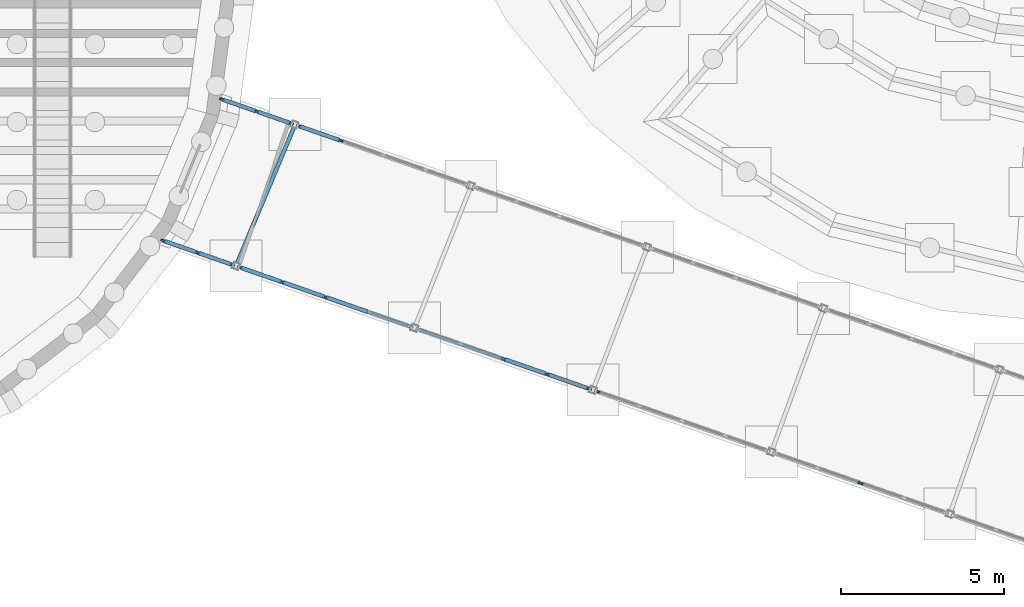
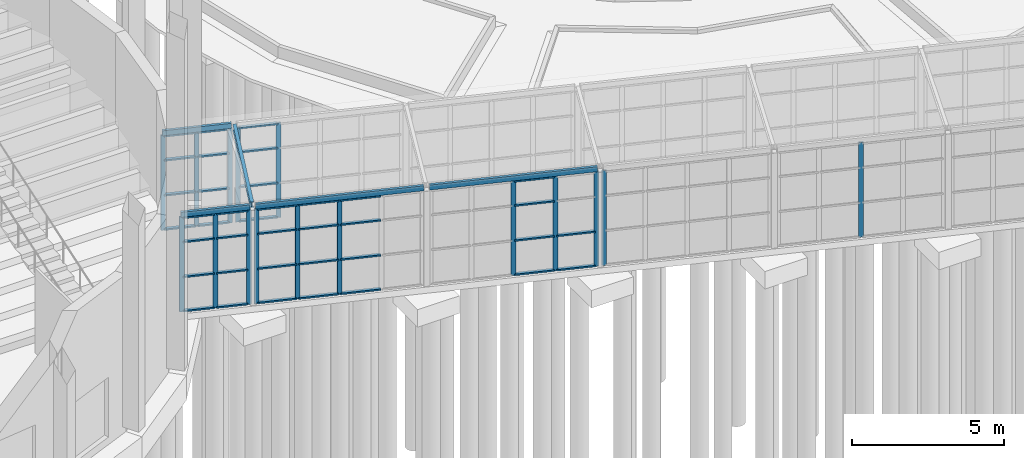
# One storey, part 46 of 226: 54 members, 5 beams, 7 elements without a shape of their own.
"""IFC4 building model written with IfcOpenShell, lengths in metres."""

from ifc_helpers import new_model, si_unit, direction, frame, origin, origin_2d, place, context, subcontext, project, spatial, rectangle, hollow_rectangle, i_section, extrude, material, material_profile, profile_set, type_object, element, aggregate, save


model = new_model("IFC4")

# Units and contexts
model_context = context("Model", 3, precision=1e-05, world=origin(), true_north=direction((0.0, 1.0)))
body_context = subcontext(model_context, "Body", "Model", "MODEL_VIEW")
ifc_project = project(units=[si_unit("LENGTHUNIT", "METRE"), si_unit("AREAUNIT", "SQUARE_METRE"), si_unit("VOLUMEUNIT", "CUBIC_METRE"), si_unit("PLANEANGLEUNIT", "RADIAN"), si_unit("MASSUNIT", "GRAM", prefix="KILO")], contexts=[model_context])

# Site, building, storey
site_placement = place(None, origin())
site = spatial("IfcSite", under=ifc_project, at=site_placement, CompositionType="ELEMENT")
building_placement = place(site_placement, origin())
building = spatial("IfcBuilding", under=site, at=building_placement, Name="Ceibo Conservatory and Research Tower", CompositionType="ELEMENT")
storey_placement = place(building_placement, origin())
storey = spatial("IfcBuildingStorey", under=building, at=storey_placement, Name="L00", CompositionType="ELEMENT", Elevation=0.0)

# Curtain wall, members
ifc_material_1 = material(Name="Aluminium and glass", Category="aluminium")
curtain_wall_type = type_object("IfcCurtainWallType", Name="Gallery curtain wall", PredefinedType="NOTDEFINED", material=ifc_material_1)
curtain_wall_1_placement = place(storey_placement, origin())
curtain_wall_1 = element("IfcCurtainWall", 1, at=curtain_wall_1_placement, inside=storey, type_object=curtain_wall_type, Name="Gallery curtain wall AUD-VC-CWN01", PredefinedType="NOTDEFINED")
ifc_material_2 = material(Name="Aluminium", Category="aluminium")
ifc_material_profile_1 = material_profile(ifc_material_2, rectangle(XDim=0.06005859375, YDim=0.159912109375, at=origin_2d()), Name="AL 60x160")
ifc_profile_set_1 = profile_set([ifc_material_profile_1], Name="Aluminium")
member_type_1 = type_object("IfcMemberType", Name="Gallery mullion 60x160", PredefinedType="MULLION", material=ifc_profile_set_1)
member_1_placement = place(storey_placement, frame((69.801513671875, 68.89892578125, 0.0), z_axis=(0.0, 0.0, 1.0), x_axis=(0.328283515513, 0.944579236191, 0.0)))
member_1 = element("IfcMember", 2, at=member_1_placement, type_object=member_type_1, Name="AUD-VC-CWN01 mullion 1", PredefinedType="MULLION", context=body_context, shape_type="SweptSolid", body=[
    extrude(rectangle(XDim=0.06005859375, YDim=0.159912109375, at=origin_2d()), origin(), (0.0, 0.0, 1.0), 3.800048828125),
])
member_2_placement = place(storey_placement, frame((70.859375, 68.53125, 0.0), z_axis=(0.0, 0.0, 1.0), x_axis=(0.328283515513, 0.944579236191, 0.0)))
member_2 = element("IfcMember", 3, at=member_2_placement, type_object=member_type_1, Name="AUD-VC-CWN01 mullion 2", PredefinedType="MULLION", context=body_context, shape_type="SweptSolid", body=[
    extrude(rectangle(XDim=0.06005859375, YDim=0.159912109375, at=origin_2d()), origin(), (0.0, 0.0, 1.0), 3.800048828125),
])
member_3_placement = place(storey_placement, frame((71.917236328125, 68.16357421875, 0.0), z_axis=(0.0, 0.0, 1.0), x_axis=(0.328283515513, 0.944579236191, 0.0)))
member_3 = element("IfcMember", 4, at=member_3_placement, type_object=member_type_1, Name="AUD-VC-CWN01 mullion 3", PredefinedType="MULLION", context=body_context, shape_type="SweptSolid", body=[
    extrude(rectangle(XDim=0.06005859375, YDim=0.159912109375, at=origin_2d()), origin(), (0.0, 0.0, 1.0), 3.800048828125),
])

curtain_wall_2_placement = place(storey_placement, origin())
curtain_wall_2 = element("IfcCurtainWall", 5, at=curtain_wall_2_placement, inside=storey, type_object=curtain_wall_type, Name="Gallery curtain wall AUD-VC-CWN02", PredefinedType="NOTDEFINED")
member_4_placement = place(storey_placement, frame((72.162841796875, 68.078125, 0.0), z_axis=(0.0, 0.0, 1.0), x_axis=(0.328283515513, 0.944579236191, 0.0)))
member_4 = element("IfcMember", 6, at=member_4_placement, type_object=member_type_1, Name="AUD-VC-CWN02 mullion 1", PredefinedType="MULLION", context=body_context, shape_type="SweptSolid", body=[
    extrude(rectangle(XDim=0.06005859375, YDim=0.159912109375, at=origin_2d()), origin(), (0.0, 0.0, 1.0), 3.800048828125),
])
member_5_placement = place(storey_placement, frame((73.4423828125, 67.633544921875, 0.0), z_axis=(0.0, 0.0, 1.0), x_axis=(0.328283515513, 0.944579236191, 0.0)))
member_5 = element("IfcMember", 7, at=member_5_placement, type_object=member_type_1, Name="AUD-VC-CWN02 mullion 2", PredefinedType="MULLION", context=body_context, shape_type="SweptSolid", body=[
    extrude(rectangle(XDim=0.06005859375, YDim=0.159912109375, at=origin_2d()), origin(), (0.0, 0.0, 1.0), 3.800048828125),
])

curtain_wall_3_placement = place(storey_placement, origin())
curtain_wall_3 = element("IfcCurtainWall", 8, at=curtain_wall_3_placement, inside=storey, type_object=curtain_wall_type, Name="Gallery curtain wall AUD-VC-CWS01", PredefinedType="NOTDEFINED")
member_6_placement = place(storey_placement, frame((67.99560546875, 64.55078125, 0.0), z_axis=(0.0, 0.0, 1.0), x_axis=(0.328283515513, 0.944579236191, 0.0)))
member_6 = element("IfcMember", 9, at=member_6_placement, type_object=member_type_1, Name="AUD-VC-CWS01 mullion 1", PredefinedType="MULLION", context=body_context, shape_type="SweptSolid", body=[
    extrude(rectangle(XDim=0.06005859375, YDim=0.159912109375, at=origin_2d()), origin(), (0.0, 0.0, 1.0), 3.800048828125),
])
member_7_placement = place(storey_placement, frame((69.053466796875, 64.18310546875, 0.0), z_axis=(0.0, 0.0, 1.0), x_axis=(0.328283515513, 0.944579236191, 0.0)))
member_7 = element("IfcMember", 10, at=member_7_placement, type_object=member_type_1, Name="AUD-VC-CWS01 mullion 2", PredefinedType="MULLION", context=body_context, shape_type="SweptSolid", body=[
    extrude(rectangle(XDim=0.06005859375, YDim=0.159912109375, at=origin_2d()), origin(), (0.0, 0.0, 1.0), 3.800048828125),
])
member_8_placement = place(storey_placement, frame((70.111572265625, 63.8154296875, 0.0), z_axis=(0.0, 0.0, 1.0), x_axis=(0.328283515513, 0.944579236191, 0.0)))
member_8 = element("IfcMember", 11, at=member_8_placement, type_object=member_type_1, Name="AUD-VC-CWS01 mullion 3", PredefinedType="MULLION", context=body_context, shape_type="SweptSolid", body=[
    extrude(rectangle(XDim=0.06005859375, YDim=0.159912109375, at=origin_2d()), origin(), (0.0, 0.0, 1.0), 3.800048828125),
])

curtain_wall_4_placement = place(storey_placement, origin())
curtain_wall_4 = element("IfcCurtainWall", 12, at=curtain_wall_4_placement, inside=storey, type_object=curtain_wall_type, Name="Gallery curtain wall AUD-VC-CWS02", PredefinedType="NOTDEFINED")
member_9_placement = place(storey_placement, frame((70.357177734375, 63.72998046875, 0.0), z_axis=(0.0, 0.0, 1.0), x_axis=(0.328283515513, 0.944579236191, 0.0)))
member_9 = element("IfcMember", 13, at=member_9_placement, type_object=member_type_1, Name="AUD-VC-CWS02 mullion 1", PredefinedType="MULLION", context=body_context, shape_type="SweptSolid", body=[
    extrude(rectangle(XDim=0.06005859375, YDim=0.159912109375, at=origin_2d()), origin(), (0.0, 0.0, 1.0), 3.800048828125),
])
member_10_placement = place(storey_placement, frame((71.653564453125, 63.279541015625, 0.0), z_axis=(0.0, 0.0, 1.0), x_axis=(0.328283515513, 0.944579236191, 0.0)))
member_10 = element("IfcMember", 14, at=member_10_placement, type_object=member_type_1, Name="AUD-VC-CWS02 mullion 2", PredefinedType="MULLION", context=body_context, shape_type="SweptSolid", body=[
    extrude(rectangle(XDim=0.06005859375, YDim=0.159912109375, at=origin_2d()), origin(), (0.0, 0.0, 1.0), 3.800048828125),
])
member_11_placement = place(storey_placement, frame((72.978515625, 62.819091796875, 0.0), z_axis=(0.0, 0.0, 1.0), x_axis=(0.328283515513, 0.944579236191, 0.0)))
member_11 = element("IfcMember", 15, at=member_11_placement, type_object=member_type_1, Name="AUD-VC-CWS02 mullion 3", PredefinedType="MULLION", context=body_context, shape_type="SweptSolid", body=[
    extrude(rectangle(XDim=0.06005859375, YDim=0.159912109375, at=origin_2d()), origin(), (0.0, 0.0, 1.0), 3.800048828125),
])

curtain_wall_5_placement = place(storey_placement, origin())
curtain_wall_5 = element("IfcCurtainWall", 16, at=curtain_wall_5_placement, inside=storey, type_object=curtain_wall_type, Name="Gallery curtain wall AUD-VC-CWS03", PredefinedType="NOTDEFINED")
member_12_placement = place(storey_placement, frame((78.466796875, 60.91162109375, 0.0), z_axis=(0.0, 0.0, 1.0), x_axis=(0.328283515513, 0.944579236191, 0.0)))
member_12 = element("IfcMember", 17, at=member_12_placement, type_object=member_type_1, Name="AUD-VC-CWS03 mullion 3", PredefinedType="MULLION", context=body_context, shape_type="SweptSolid", body=[
    extrude(rectangle(XDim=0.06005859375, YDim=0.159912109375, at=origin_2d()), origin(), (0.0, 0.0, 1.0), 3.800048828125),
])
member_13_placement = place(storey_placement, frame((79.79150390625, 60.451171875, 0.0), z_axis=(0.0, 0.0, 1.0), x_axis=(0.328283515513, 0.944579236191, 0.0)))
member_13 = element("IfcMember", 18, at=member_13_placement, type_object=member_type_1, Name="AUD-VC-CWS03 mullion 4", PredefinedType="MULLION", context=body_context, shape_type="SweptSolid", body=[
    extrude(rectangle(XDim=0.06005859375, YDim=0.159912109375, at=origin_2d()), origin(), (0.0, 0.0, 1.0), 3.800048828125),
])
member_14_placement = place(storey_placement, frame((81.088134765625, 60.00048828125, 0.0), z_axis=(0.0, 0.0, 1.0), x_axis=(0.328283515513, 0.944579236191, 0.0)))
member_14 = element("IfcMember", 19, at=member_14_placement, type_object=member_type_1, Name="AUD-VC-CWS03 mullion 5", PredefinedType="MULLION", context=body_context, shape_type="SweptSolid", body=[
    extrude(rectangle(XDim=0.06005859375, YDim=0.159912109375, at=origin_2d()), origin(), (0.0, 0.0, 1.0), 3.800048828125),
])

# Curtain wall, member
curtain_wall_6_placement = place(storey_placement, origin())
curtain_wall_6 = element("IfcCurtainWall", 20, at=curtain_wall_6_placement, inside=storey, type_object=curtain_wall_type, Name="Gallery curtain wall AUD-VC-CWS04", PredefinedType="NOTDEFINED")
member_15_placement = place(storey_placement, frame((81.333740234375, 59.915283203125, 0.0), z_axis=(0.0, 0.0, 1.0), x_axis=(0.328283515513, 0.944579236191, 0.0)))
member_15 = element("IfcMember", 21, at=member_15_placement, type_object=member_type_1, Name="AUD-VC-CWS04 mullion 1", PredefinedType="MULLION", context=body_context, shape_type="SweptSolid", body=[
    extrude(rectangle(XDim=0.06005859375, YDim=0.159912109375, at=origin_2d()), origin(), (0.0, 0.0, 1.0), 3.800048828125),
])
aggregate(curtain_wall_6, [member_15])

curtain_wall_7_placement = place(storey_placement, origin())
curtain_wall_7 = element("IfcCurtainWall", 22, at=curtain_wall_7_placement, inside=storey, type_object=curtain_wall_type, Name="Gallery curtain wall AUD-VC-CWS05", PredefinedType="NOTDEFINED")
member_16_placement = place(storey_placement, frame((89.443359375, 57.0966796875, 0.0), z_axis=(0.0, 0.0, 1.0), x_axis=(0.328283515513, 0.944579236191, 0.0)))
member_16 = element("IfcMember", 23, at=member_16_placement, type_object=member_type_1, Name="AUD-VC-CWS05 mullion 3", PredefinedType="MULLION", context=body_context, shape_type="SweptSolid", body=[
    extrude(rectangle(XDim=0.06005859375, YDim=0.159912109375, at=origin_2d()), origin(), (0.0, 0.0, 1.0), 3.800048828125),
])
aggregate(curtain_wall_7, [member_16])

# Member
ifc_material_profile_2 = material_profile(ifc_material_2, rectangle(XDim=0.1201171875, YDim=0.06005859375, at=origin_2d()), Name="AL 60x120")
ifc_profile_set_2 = profile_set([ifc_material_profile_2], Name="Aluminium")
member_type_2 = type_object("IfcMemberType", Name="Gallery transom 60x120", PredefinedType="USERDEFINED", material=ifc_profile_set_2)
member_17_placement = place(storey_placement, frame((69.829833984375, 68.88916015625, 0.030029296875), z_axis=(0.944527863844, -0.328431293305, 0.0), x_axis=(0.328431293305, 0.944527863844, 0.0)))
member_17 = element("IfcMember", 24, at=member_17_placement, type_object=member_type_2, Name="AUD-VC-CWN01 transom 1.1", ObjectType="TRANSOM", PredefinedType="USERDEFINED", context=body_context, shape_type="SweptSolid", body=[
    extrude(rectangle(XDim=0.1201171875, YDim=0.06005859375, at=origin_2d()), origin(), (0.0, 0.0, 1.0), 1.06005859375),
])

member_18_placement = place(storey_placement, frame((69.829833984375, 68.88916015625, 1.39990234375), z_axis=(0.944527863844, -0.328431293305, 0.0), x_axis=(0.328431293305, 0.944527863844, 0.0)))
member_18 = element("IfcMember", 25, at=member_18_placement, type_object=member_type_2, Name="AUD-VC-CWN01 transom 1.2", ObjectType="TRANSOM", PredefinedType="USERDEFINED", context=body_context, shape_type="SweptSolid", body=[
    extrude(rectangle(XDim=0.1201171875, YDim=0.06005859375, at=origin_2d()), origin(), (0.0, 0.0, 1.0), 1.06005859375),
])

member_19_placement = place(storey_placement, frame((69.829833984375, 68.88916015625, 2.800048828125), z_axis=(0.944527863844, -0.328431293305, 0.0), x_axis=(0.328431293305, 0.944527863844, 0.0)))
member_19 = element("IfcMember", 26, at=member_19_placement, type_object=member_type_2, Name="AUD-VC-CWN01 transom 1.3", ObjectType="TRANSOM", PredefinedType="USERDEFINED", context=body_context, shape_type="SweptSolid", body=[
    extrude(rectangle(XDim=0.1201171875, YDim=0.06005859375, at=origin_2d()), origin(), (0.0, 0.0, 1.0), 1.06005859375),
])

member_20_placement = place(storey_placement, frame((69.829833984375, 68.88916015625, 3.77001953125), z_axis=(0.944527863844, -0.328431293305, 0.0), x_axis=(0.328431293305, 0.944527863844, 0.0)))
member_20 = element("IfcMember", 27, at=member_20_placement, type_object=member_type_2, Name="AUD-VC-CWN01 transom 1.4", ObjectType="TRANSOM", PredefinedType="USERDEFINED", context=body_context, shape_type="SweptSolid", body=[
    extrude(rectangle(XDim=0.1201171875, YDim=0.06005859375, at=origin_2d()), origin(), (0.0, 0.0, 1.0), 1.06005859375),
])

member_21_placement = place(storey_placement, frame((70.8876953125, 68.521484375, 0.030029296875), z_axis=(0.944527863844, -0.328431293305, 0.0), x_axis=(0.328431293305, 0.944527863844, 0.0)))
member_21 = element("IfcMember", 28, at=member_21_placement, type_object=member_type_2, Name="AUD-VC-CWN01 transom 2.1", ObjectType="TRANSOM", PredefinedType="USERDEFINED", context=body_context, shape_type="SweptSolid", body=[
    extrude(rectangle(XDim=0.1201171875, YDim=0.06005859375, at=origin_2d()), origin(), (0.0, 0.0, 1.0), 1.06005859375),
])

member_22_placement = place(storey_placement, frame((70.8876953125, 68.521484375, 1.39990234375), z_axis=(0.944527863844, -0.328431293305, 0.0), x_axis=(0.328431293305, 0.944527863844, 0.0)))
member_22 = element("IfcMember", 29, at=member_22_placement, type_object=member_type_2, Name="AUD-VC-CWN01 transom 2.2", ObjectType="TRANSOM", PredefinedType="USERDEFINED", context=body_context, shape_type="SweptSolid", body=[
    extrude(rectangle(XDim=0.1201171875, YDim=0.06005859375, at=origin_2d()), origin(), (0.0, 0.0, 1.0), 1.06005859375),
])

member_23_placement = place(storey_placement, frame((70.8876953125, 68.521484375, 2.800048828125), z_axis=(0.944527863844, -0.328431293305, 0.0), x_axis=(0.328431293305, 0.944527863844, 0.0)))
member_23 = element("IfcMember", 30, at=member_23_placement, type_object=member_type_2, Name="AUD-VC-CWN01 transom 2.3", ObjectType="TRANSOM", PredefinedType="USERDEFINED", context=body_context, shape_type="SweptSolid", body=[
    extrude(rectangle(XDim=0.1201171875, YDim=0.06005859375, at=origin_2d()), origin(), (0.0, 0.0, 1.0), 1.06005859375),
])

member_24_placement = place(storey_placement, frame((70.8876953125, 68.521484375, 3.77001953125), z_axis=(0.944527863844, -0.328431293305, 0.0), x_axis=(0.328431293305, 0.944527863844, 0.0)))
member_24 = element("IfcMember", 31, at=member_24_placement, type_object=member_type_2, Name="AUD-VC-CWN01 transom 2.4", ObjectType="TRANSOM", PredefinedType="USERDEFINED", context=body_context, shape_type="SweptSolid", body=[
    extrude(rectangle(XDim=0.1201171875, YDim=0.06005859375, at=origin_2d()), origin(), (0.0, 0.0, 1.0), 1.06005859375),
])

aggregate(curtain_wall_1, [member_1, member_2, member_3, member_17, member_18, member_19, member_20, member_21, member_22, member_23, member_24])

member_25_placement = place(storey_placement, frame((72.191162109375, 68.068359375, 0.030029296875), z_axis=(0.944570549154, -0.328308509898, 0.0), x_axis=(0.328308509898, 0.944570549154, 0.0)))
member_25 = element("IfcMember", 32, at=member_25_placement, type_object=member_type_2, Name="AUD-VC-CWN02 transom 1.1", ObjectType="TRANSOM", PredefinedType="USERDEFINED", context=body_context, shape_type="SweptSolid", body=[
    extrude(rectangle(XDim=0.1201171875, YDim=0.06005859375, at=origin_2d()), origin(), (0.0, 0.0, 1.0), 1.294677734375),
])

member_26_placement = place(storey_placement, frame((72.191162109375, 68.068359375, 1.39990234375), z_axis=(0.944570549154, -0.328308509898, 0.0), x_axis=(0.328308509898, 0.944570549154, 0.0)))
member_26 = element("IfcMember", 33, at=member_26_placement, type_object=member_type_2, Name="AUD-VC-CWN02 transom 1.2", ObjectType="TRANSOM", PredefinedType="USERDEFINED", context=body_context, shape_type="SweptSolid", body=[
    extrude(rectangle(XDim=0.1201171875, YDim=0.06005859375, at=origin_2d()), origin(), (0.0, 0.0, 1.0), 1.294677734375),
])

member_27_placement = place(storey_placement, frame((72.191162109375, 68.068359375, 2.800048828125), z_axis=(0.944570549154, -0.328308509898, 0.0), x_axis=(0.328308509898, 0.944570549154, 0.0)))
member_27 = element("IfcMember", 34, at=member_27_placement, type_object=member_type_2, Name="AUD-VC-CWN02 transom 1.3", ObjectType="TRANSOM", PredefinedType="USERDEFINED", context=body_context, shape_type="SweptSolid", body=[
    extrude(rectangle(XDim=0.1201171875, YDim=0.06005859375, at=origin_2d()), origin(), (0.0, 0.0, 1.0), 1.294677734375),
])

member_28_placement = place(storey_placement, frame((72.191162109375, 68.068359375, 3.77001953125), z_axis=(0.944570549154, -0.328308509898, 0.0), x_axis=(0.328308509898, 0.944570549154, 0.0)))
member_28 = element("IfcMember", 35, at=member_28_placement, type_object=member_type_2, Name="AUD-VC-CWN02 transom 1.4", ObjectType="TRANSOM", PredefinedType="USERDEFINED", context=body_context, shape_type="SweptSolid", body=[
    extrude(rectangle(XDim=0.1201171875, YDim=0.06005859375, at=origin_2d()), origin(), (0.0, 0.0, 1.0), 1.294677734375),
])

aggregate(curtain_wall_2, [member_4, member_5, member_25, member_26, member_27, member_28])

member_29_placement = place(storey_placement, frame((68.02392578125, 64.541015625, 0.030029296875), z_axis=(0.944527863844, -0.328431293305, 0.0), x_axis=(0.328431293305, 0.944527863844, 0.0)))
member_29 = element("IfcMember", 36, at=member_29_placement, type_object=member_type_2, Name="AUD-VC-CWS01 transom 1.1", ObjectType="TRANSOM", PredefinedType="USERDEFINED", context=body_context, shape_type="SweptSolid", body=[
    extrude(rectangle(XDim=0.1201171875, YDim=0.06005859375, at=origin_2d()), origin(), (0.0, 0.0, 1.0), 1.06005859375),
])

member_30_placement = place(storey_placement, frame((68.02392578125, 64.541015625, 1.39990234375), z_axis=(0.944527863844, -0.328431293305, 0.0), x_axis=(0.328431293305, 0.944527863844, 0.0)))
member_30 = element("IfcMember", 37, at=member_30_placement, type_object=member_type_2, Name="AUD-VC-CWS01 transom 1.2", ObjectType="TRANSOM", PredefinedType="USERDEFINED", context=body_context, shape_type="SweptSolid", body=[
    extrude(rectangle(XDim=0.1201171875, YDim=0.06005859375, at=origin_2d()), origin(), (0.0, 0.0, 1.0), 1.06005859375),
])

member_31_placement = place(storey_placement, frame((68.02392578125, 64.541015625, 2.800048828125), z_axis=(0.944527863844, -0.328431293305, 0.0), x_axis=(0.328431293305, 0.944527863844, 0.0)))
member_31 = element("IfcMember", 38, at=member_31_placement, type_object=member_type_2, Name="AUD-VC-CWS01 transom 1.3", ObjectType="TRANSOM", PredefinedType="USERDEFINED", context=body_context, shape_type="SweptSolid", body=[
    extrude(rectangle(XDim=0.1201171875, YDim=0.06005859375, at=origin_2d()), origin(), (0.0, 0.0, 1.0), 1.06005859375),
])

member_32_placement = place(storey_placement, frame((68.02392578125, 64.541015625, 3.77001953125), z_axis=(0.944527863844, -0.328431293305, 0.0), x_axis=(0.328431293305, 0.944527863844, 0.0)))
member_32 = element("IfcMember", 39, at=member_32_placement, type_object=member_type_2, Name="AUD-VC-CWS01 transom 1.4", ObjectType="TRANSOM", PredefinedType="USERDEFINED", context=body_context, shape_type="SweptSolid", body=[
    extrude(rectangle(XDim=0.1201171875, YDim=0.06005859375, at=origin_2d()), origin(), (0.0, 0.0, 1.0), 1.06005859375),
])

member_33_placement = place(storey_placement, frame((69.081787109375, 64.17333984375, 0.030029296875), z_axis=(0.944552699313, -0.328359860853, 0.0), x_axis=(0.328359860853, 0.944552699313, 0.0)))
member_33 = element("IfcMember", 40, at=member_33_placement, type_object=member_type_2, Name="AUD-VC-CWS01 transom 2.1", ObjectType="TRANSOM", PredefinedType="USERDEFINED", context=body_context, shape_type="SweptSolid", body=[
    extrude(rectangle(XDim=0.1201171875, YDim=0.06005859375, at=origin_2d()), origin(), (0.0, 0.0, 1.0), 1.060302734375),
])

member_34_placement = place(storey_placement, frame((69.081787109375, 64.17333984375, 1.39990234375), z_axis=(0.944552699313, -0.328359860853, 0.0), x_axis=(0.328359860853, 0.944552699313, 0.0)))
member_34 = element("IfcMember", 41, at=member_34_placement, type_object=member_type_2, Name="AUD-VC-CWS01 transom 2.2", ObjectType="TRANSOM", PredefinedType="USERDEFINED", context=body_context, shape_type="SweptSolid", body=[
    extrude(rectangle(XDim=0.1201171875, YDim=0.06005859375, at=origin_2d()), origin(), (0.0, 0.0, 1.0), 1.060302734375),
])

member_35_placement = place(storey_placement, frame((69.081787109375, 64.17333984375, 2.800048828125), z_axis=(0.944552699313, -0.328359860853, 0.0), x_axis=(0.328359860853, 0.944552699313, 0.0)))
member_35 = element("IfcMember", 42, at=member_35_placement, type_object=member_type_2, Name="AUD-VC-CWS01 transom 2.3", ObjectType="TRANSOM", PredefinedType="USERDEFINED", context=body_context, shape_type="SweptSolid", body=[
    extrude(rectangle(XDim=0.1201171875, YDim=0.06005859375, at=origin_2d()), origin(), (0.0, 0.0, 1.0), 1.060302734375),
])

member_36_placement = place(storey_placement, frame((69.081787109375, 64.17333984375, 3.77001953125), z_axis=(0.944552699313, -0.328359860853, 0.0), x_axis=(0.328359860853, 0.944552699313, 0.0)))
member_36 = element("IfcMember", 43, at=member_36_placement, type_object=member_type_2, Name="AUD-VC-CWS01 transom 2.4", ObjectType="TRANSOM", PredefinedType="USERDEFINED", context=body_context, shape_type="SweptSolid", body=[
    extrude(rectangle(XDim=0.1201171875, YDim=0.06005859375, at=origin_2d()), origin(), (0.0, 0.0, 1.0), 1.060302734375),
])

aggregate(curtain_wall_3, [member_6, member_7, member_8, member_29, member_30, member_31, member_32, member_33, member_34, member_35, member_36])

member_37_placement = place(storey_placement, frame((70.385498046875, 63.72021484375, 0.030029296875), z_axis=(0.944569547246, -0.328311392455, 0.0), x_axis=(0.328311392455, 0.944569547246, 0.0)))
member_37 = element("IfcMember", 44, at=member_37_placement, type_object=member_type_2, Name="AUD-VC-CWS02 transom 1.1", ObjectType="TRANSOM", PredefinedType="USERDEFINED", context=body_context, shape_type="SweptSolid", body=[
    extrude(rectangle(XDim=0.1201171875, YDim=0.06005859375, at=origin_2d()), origin(), (0.0, 0.0, 1.0), 1.3125),
])

member_38_placement = place(storey_placement, frame((70.385498046875, 63.72021484375, 1.39990234375), z_axis=(0.944569547246, -0.328311392455, 0.0), x_axis=(0.328311392455, 0.944569547246, 0.0)))
member_38 = element("IfcMember", 45, at=member_38_placement, type_object=member_type_2, Name="AUD-VC-CWS02 transom 1.2", ObjectType="TRANSOM", PredefinedType="USERDEFINED", context=body_context, shape_type="SweptSolid", body=[
    extrude(rectangle(XDim=0.1201171875, YDim=0.06005859375, at=origin_2d()), origin(), (0.0, 0.0, 1.0), 1.3125),
])

member_39_placement = place(storey_placement, frame((70.385498046875, 63.72021484375, 2.800048828125), z_axis=(0.944569547246, -0.328311392455, 0.0), x_axis=(0.328311392455, 0.944569547246, 0.0)))
member_39 = element("IfcMember", 46, at=member_39_placement, type_object=member_type_2, Name="AUD-VC-CWS02 transom 1.3", ObjectType="TRANSOM", PredefinedType="USERDEFINED", context=body_context, shape_type="SweptSolid", body=[
    extrude(rectangle(XDim=0.1201171875, YDim=0.06005859375, at=origin_2d()), origin(), (0.0, 0.0, 1.0), 1.3125),
])

member_40_placement = place(storey_placement, frame((70.385498046875, 63.72021484375, 3.77001953125), z_axis=(0.944569547246, -0.328311392455, 0.0), x_axis=(0.328311392455, 0.944569547246, 0.0)))
member_40 = element("IfcMember", 47, at=member_40_placement, type_object=member_type_2, Name="AUD-VC-CWS02 transom 1.4", ObjectType="TRANSOM", PredefinedType="USERDEFINED", context=body_context, shape_type="SweptSolid", body=[
    extrude(rectangle(XDim=0.1201171875, YDim=0.06005859375, at=origin_2d()), origin(), (0.0, 0.0, 1.0), 1.3125),
])

member_41_placement = place(storey_placement, frame((71.681884765625, 63.26953125, 0.030029296875), z_axis=(0.944607129256, -0.328203247027, 0.0), x_axis=(0.328203247027, 0.944607129256, 0.0)))
member_41 = element("IfcMember", 48, at=member_41_placement, type_object=member_type_2, Name="AUD-VC-CWS02 transom 2.1", ObjectType="TRANSOM", PredefinedType="USERDEFINED", context=body_context, shape_type="SweptSolid", body=[
    extrude(rectangle(XDim=0.1201171875, YDim=0.06005859375, at=origin_2d()), origin(), (0.0, 0.0, 1.0), 1.3427734375),
])

member_42_placement = place(storey_placement, frame((71.681884765625, 63.26953125, 1.39990234375), z_axis=(0.944607129256, -0.328203247027, 0.0), x_axis=(0.328203247027, 0.944607129256, 0.0)))
member_42 = element("IfcMember", 49, at=member_42_placement, type_object=member_type_2, Name="AUD-VC-CWS02 transom 2.2", ObjectType="TRANSOM", PredefinedType="USERDEFINED", context=body_context, shape_type="SweptSolid", body=[
    extrude(rectangle(XDim=0.1201171875, YDim=0.06005859375, at=origin_2d()), origin(), (0.0, 0.0, 1.0), 1.3427734375),
])

member_43_placement = place(storey_placement, frame((71.681884765625, 63.26953125, 2.800048828125), z_axis=(0.944607129256, -0.328203247027, 0.0), x_axis=(0.328203247027, 0.944607129256, 0.0)))
member_43 = element("IfcMember", 50, at=member_43_placement, type_object=member_type_2, Name="AUD-VC-CWS02 transom 2.3", ObjectType="TRANSOM", PredefinedType="USERDEFINED", context=body_context, shape_type="SweptSolid", body=[
    extrude(rectangle(XDim=0.1201171875, YDim=0.06005859375, at=origin_2d()), origin(), (0.0, 0.0, 1.0), 1.3427734375),
])

member_44_placement = place(storey_placement, frame((71.681884765625, 63.26953125, 3.77001953125), z_axis=(0.944607129256, -0.328203247027, 0.0), x_axis=(0.328203247027, 0.944607129256, 0.0)))
member_44 = element("IfcMember", 51, at=member_44_placement, type_object=member_type_2, Name="AUD-VC-CWS02 transom 2.4", ObjectType="TRANSOM", PredefinedType="USERDEFINED", context=body_context, shape_type="SweptSolid", body=[
    extrude(rectangle(XDim=0.1201171875, YDim=0.06005859375, at=origin_2d()), origin(), (0.0, 0.0, 1.0), 1.3427734375),
])

member_45_placement = place(storey_placement, frame((73.0068359375, 62.80908203125, 0.030029296875), z_axis=(0.944587537953, -0.328259627648, 0.0), x_axis=(0.328259627648, 0.944587537953, 0.0)))
member_45 = element("IfcMember", 52, at=member_45_placement, type_object=member_type_2, Name="AUD-VC-CWS02 transom 3.1", ObjectType="TRANSOM", PredefinedType="USERDEFINED", context=body_context, shape_type="SweptSolid", body=[
    extrude(rectangle(XDim=0.1201171875, YDim=0.06005859375, at=origin_2d()), origin(), (0.0, 0.0, 1.0), 1.342529296875),
])

member_46_placement = place(storey_placement, frame((73.0068359375, 62.80908203125, 1.39990234375), z_axis=(0.944587537953, -0.328259627648, 0.0), x_axis=(0.328259627648, 0.944587537953, 0.0)))
member_46 = element("IfcMember", 53, at=member_46_placement, type_object=member_type_2, Name="AUD-VC-CWS02 transom 3.2", ObjectType="TRANSOM", PredefinedType="USERDEFINED", context=body_context, shape_type="SweptSolid", body=[
    extrude(rectangle(XDim=0.1201171875, YDim=0.06005859375, at=origin_2d()), origin(), (0.0, 0.0, 1.0), 1.342529296875),
])

member_47_placement = place(storey_placement, frame((73.0068359375, 62.80908203125, 2.800048828125), z_axis=(0.944587537953, -0.328259627648, 0.0), x_axis=(0.328259627648, 0.944587537953, 0.0)))
member_47 = element("IfcMember", 54, at=member_47_placement, type_object=member_type_2, Name="AUD-VC-CWS02 transom 3.3", ObjectType="TRANSOM", PredefinedType="USERDEFINED", context=body_context, shape_type="SweptSolid", body=[
    extrude(rectangle(XDim=0.1201171875, YDim=0.06005859375, at=origin_2d()), origin(), (0.0, 0.0, 1.0), 1.342529296875),
])

member_48_placement = place(storey_placement, frame((73.0068359375, 62.80908203125, 3.77001953125), z_axis=(0.944587537953, -0.328259627648, 0.0), x_axis=(0.328259627648, 0.944587537953, 0.0)))
member_48 = element("IfcMember", 55, at=member_48_placement, type_object=member_type_2, Name="AUD-VC-CWS02 transom 3.4", ObjectType="TRANSOM", PredefinedType="USERDEFINED", context=body_context, shape_type="SweptSolid", body=[
    extrude(rectangle(XDim=0.1201171875, YDim=0.06005859375, at=origin_2d()), origin(), (0.0, 0.0, 1.0), 1.342529296875),
])

aggregate(curtain_wall_4, [member_9, member_10, member_11, member_37, member_38, member_39, member_40, member_41, member_42, member_43, member_44, member_45, member_46, member_47, member_48])

member_49_placement = place(storey_placement, frame((78.4951171875, 60.901611328125, 0.030029296875), z_axis=(0.944587537953, -0.328259627648, 0.0), x_axis=(0.328259627648, 0.944587537953, 0.0)))
member_49 = element("IfcMember", 56, at=member_49_placement, type_object=member_type_2, Name="AUD-VC-CWS03 transom 3.1", ObjectType="TRANSOM", PredefinedType="USERDEFINED", context=body_context, shape_type="SweptSolid", body=[
    extrude(rectangle(XDim=0.1201171875, YDim=0.06005859375, at=origin_2d()), origin(), (0.0, 0.0, 1.0), 1.342529296875),
])

member_50_placement = place(storey_placement, frame((78.4951171875, 60.901611328125, 1.39990234375), z_axis=(0.944587537953, -0.328259627648, 0.0), x_axis=(0.328259627648, 0.944587537953, 0.0)))
member_50 = element("IfcMember", 57, at=member_50_placement, type_object=member_type_2, Name="AUD-VC-CWS03 transom 3.2", ObjectType="TRANSOM", PredefinedType="USERDEFINED", context=body_context, shape_type="SweptSolid", body=[
    extrude(rectangle(XDim=0.1201171875, YDim=0.06005859375, at=origin_2d()), origin(), (0.0, 0.0, 1.0), 1.342529296875),
])

member_51_placement = place(storey_placement, frame((78.4951171875, 60.901611328125, 2.800048828125), z_axis=(0.944587537953, -0.328259627648, 0.0), x_axis=(0.328259627648, 0.944587537953, 0.0)))
member_51 = element("IfcMember", 58, at=member_51_placement, type_object=member_type_2, Name="AUD-VC-CWS03 transom 3.3", ObjectType="TRANSOM", PredefinedType="USERDEFINED", context=body_context, shape_type="SweptSolid", body=[
    extrude(rectangle(XDim=0.1201171875, YDim=0.06005859375, at=origin_2d()), origin(), (0.0, 0.0, 1.0), 1.342529296875),
])

member_52_placement = place(storey_placement, frame((78.4951171875, 60.901611328125, 3.77001953125), z_axis=(0.944587537953, -0.328259627648, 0.0), x_axis=(0.328259627648, 0.944587537953, 0.0)))
member_52 = element("IfcMember", 59, at=member_52_placement, type_object=member_type_2, Name="AUD-VC-CWS03 transom 3.4", ObjectType="TRANSOM", PredefinedType="USERDEFINED", context=body_context, shape_type="SweptSolid", body=[
    extrude(rectangle(XDim=0.1201171875, YDim=0.06005859375, at=origin_2d()), origin(), (0.0, 0.0, 1.0), 1.342529296875),
])

member_53_placement = place(storey_placement, frame((79.81982421875, 60.44140625, 0.030029296875), z_axis=(0.944589591906, -0.328253717211, 0.0), x_axis=(0.328253717211, 0.944589591906, 0.0)))
member_53 = element("IfcMember", 60, at=member_53_placement, type_object=member_type_2, Name="AUD-VC-CWS03 transom 4.1", ObjectType="TRANSOM", PredefinedType="USERDEFINED", context=body_context, shape_type="SweptSolid", body=[
    extrude(rectangle(XDim=0.1201171875, YDim=0.06005859375, at=origin_2d()), origin(), (0.0, 0.0, 1.0), 1.312744140625),
])

member_54_placement = place(storey_placement, frame((79.81982421875, 60.44140625, 1.39990234375), z_axis=(0.944589591906, -0.328253717211, 0.0), x_axis=(0.328253717211, 0.944589591906, 0.0)))
member_54 = element("IfcMember", 61, at=member_54_placement, type_object=member_type_2, Name="AUD-VC-CWS03 transom 4.2", ObjectType="TRANSOM", PredefinedType="USERDEFINED", context=body_context, shape_type="SweptSolid", body=[
    extrude(rectangle(XDim=0.1201171875, YDim=0.06005859375, at=origin_2d()), origin(), (0.0, 0.0, 1.0), 1.312744140625),
])

aggregate(curtain_wall_5, [member_12, member_13, member_14, member_49, member_50, member_51, member_52, member_53, member_54])

# Beams
ifc_material_3 = material(Name="Steel S355J2", Category="steel")
ifc_material_profile_3 = material_profile(ifc_material_3, i_section(OverallWidth=0.1201171875, OverallDepth=0.239990234375, WebThickness=0.006103515625, FlangeThickness=0.009765625, at=origin_2d()), Name="IPE 240")
ifc_profile_set_3 = profile_set([ifc_material_profile_3], Name="Steel S355J2")
beam_type_1 = type_object("IfcBeamType", Name="IPE 240 roof beam", PredefinedType="BEAM", material=ifc_profile_set_3)
beam_1_placement = place(storey_placement, frame((72.009033203125, 68.03125, 3.8798828125), z_axis=(-0.385877200468, -0.922550153736, 0.0), x_axis=(0.922550153736, -0.385877200468, 0.0)))
element("IfcBeam", 62, at=beam_1_placement, inside=storey, type_object=beam_type_1, Name="Gallery roof beam AUD-VC-RB01", PredefinedType="BEAM", context=body_context, shape_type="SweptSolid", body=[
    extrude(i_section(OverallWidth=0.1201171875, OverallDepth=0.239990234375, WebThickness=0.006103515625, FlangeThickness=0.009765625, at=origin_2d()), origin(), (0.0, 0.0, 1.0), 4.5185546875),
])
ifc_material_4 = material(Name="Steel S355J2H", Category="steel")
ifc_material_profile_4 = material_profile(ifc_material_4, hollow_rectangle(XDim=0.10009765625, YDim=0.199951171875, WallThickness=0.008056640625, at=origin_2d()), Name="RHS 200x100x8 edge beam")
ifc_profile_set_4 = profile_set([ifc_material_profile_4], Name="Steel S355J2H")
beam_type_2 = type_object("IfcBeamType", Name="RHS 200x100x8 edge beam", PredefinedType="BEAM", material=ifc_profile_set_4)
beam_2_placement = place(storey_placement, frame((69.768310546875, 68.910400390625, 3.89990234375), z_axis=(0.944590856443, -0.32825007833, 0.0), x_axis=(0.32825007833, 0.944590856443, 0.0)))
element("IfcBeam", 63, at=beam_2_placement, inside=storey, type_object=beam_type_2, Name="Gallery edge beam AUD-VC-EBN01", PredefinedType="BEAM", context=body_context, shape_type="SweptSolid", body=[
    extrude(hollow_rectangle(XDim=0.10009765625, YDim=0.199951171875, WallThickness=0.008056640625, at=origin_2d()), origin(), (0.0, 0.0, 1.0), 2.31005859375),
])
beam_3_placement = place(storey_placement, frame((67.962646484375, 64.562255859375, 3.89990234375), z_axis=(0.94457946764, -0.328282849557, 0.0), x_axis=(0.328282849557, 0.94457946764, 0.0)))
element("IfcBeam", 64, at=beam_3_placement, inside=storey, type_object=beam_type_2, Name="Gallery edge beam AUD-VC-EBS01", PredefinedType="BEAM", context=body_context, shape_type="SweptSolid", body=[
    extrude(hollow_rectangle(XDim=0.10009765625, YDim=0.199951171875, WallThickness=0.008056640625, at=origin_2d()), origin(), (0.0, 0.0, 1.0), 2.309814453125),
])
for number, where, z_axis, x_axis, name in (
    (65, (70.323974609375, 63.741455078125, 3.89990234375), (0.944584081142, -0.328269574669, 0.0), (0.328269574669, 0.944584081142, 0.0), "Gallery edge beam AUD-VC-EBS02"),
    (66, (75.812255859375, 61.834228515625, 3.89990234375), (0.944570611008, -0.328308331938, 0.0), (0.328308331938, 0.944570611008, 0.0), "Gallery edge beam AUD-VC-EBS03"),
):
    element("IfcBeam", number, at=place(storey_placement, frame(where, z_axis=z_axis, x_axis=x_axis)), inside=storey, type_object=beam_type_2, Name=name, PredefinedType="BEAM", context=body_context, shape_type="SweptSolid", body=[
        extrude(hollow_rectangle(XDim=0.10009765625, YDim=0.199951171875, WallThickness=0.008056640625, at=origin_2d()), origin(), (0.0, 0.0, 1.0), 5.620361328125),
    ])

save(model, "model.ifc")
